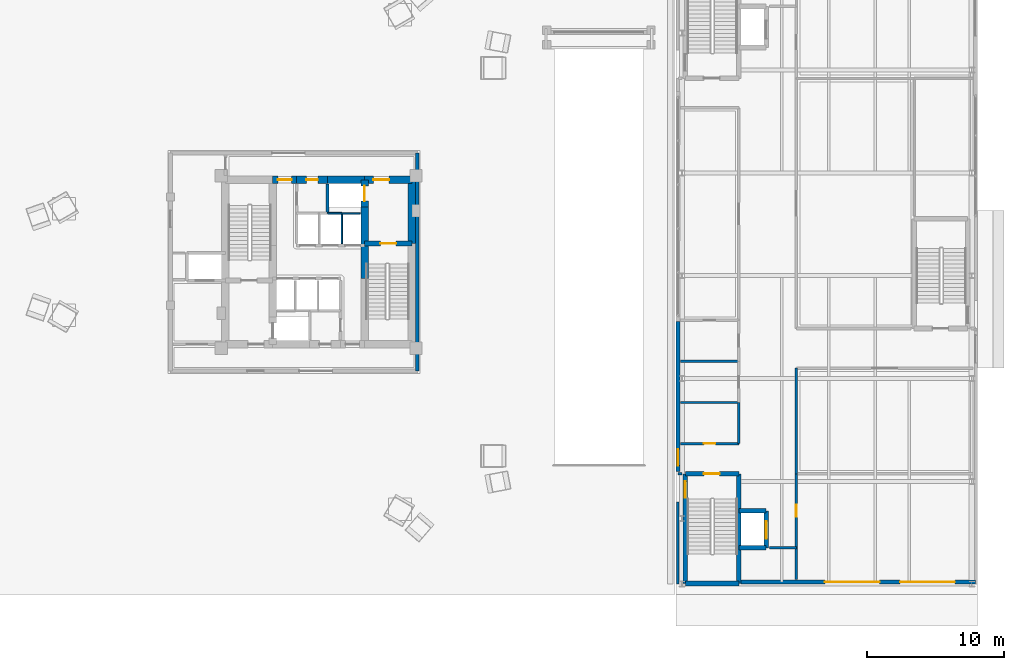
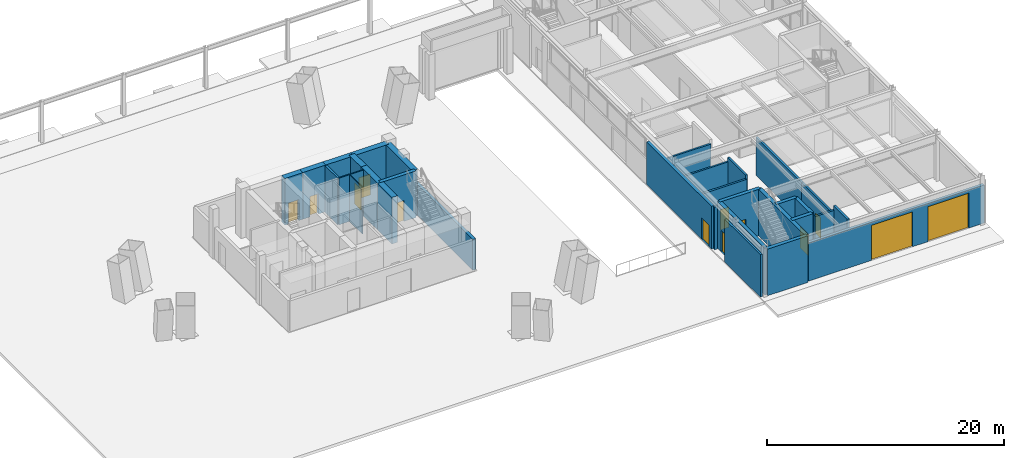
# One storey, part 14 of 21: 33 walls, 13 doors, 13 openings.
"""IFC4 building model written with IfcOpenShell, lengths in metres."""

from ifc_helpers import new_model, si_unit, direction, frame, frame_2d, origin, place, context, subcontext, project, spatial, rectangle, extrude, material, layer, layer_set, type_object, element, fill, save


model = new_model("IFC4")

# Units and contexts
model_context = context("Model", 3, precision=1e-05, world=origin(), true_north=direction((0.0, 1.0)))
body_context = subcontext(model_context, "Body", "Model", "MODEL_VIEW")
ifc_project = project(units=[si_unit("LENGTHUNIT", "METRE"), si_unit("AREAUNIT", "SQUARE_METRE"), si_unit("VOLUMEUNIT", "CUBIC_METRE"), si_unit("PLANEANGLEUNIT", "RADIAN"), si_unit("MASSUNIT", "GRAM", prefix="KILO")], contexts=[model_context])

# Site, building, storey
site_placement = place(None, origin())
site = spatial("IfcSite", under=ifc_project, at=site_placement, CompositionType="ELEMENT")
building_placement = place(site_placement, origin())
building = spatial("IfcBuilding", under=site, at=building_placement, Name="Mersakhor Tower and Convention Hall", CompositionType="ELEMENT")
storey_placement = place(building_placement, origin())
storey = spatial("IfcBuildingStorey", under=building, at=storey_placement, Name="L00", CompositionType="ELEMENT", Elevation=0.0)

# Wall
ifc_material_1 = material(Name="Precast concrete C45/55", Category="concrete")
ifc_layer_1 = layer(ifc_material_1, 0.27490234375)
ifc_layer_set_1 = layer_set([ifc_layer_1], Name="Precast concrete C45/55")
wall_type_1 = type_object("IfcWallType", Name="WL-EXT-275", PredefinedType="SOLIDWALL", material=ifc_layer_set_1)
wall_1_placement = place(storey_placement, frame((36.199951171875, 34.699951171875, 0.0), z_axis=(0.0, 0.0, 1.0), x_axis=(0.0, -1.0, 0.0)))
element("IfcWall", 1, at=wall_1_placement, inside=storey, type_object=wall_type_1, Name="Tower Ground Lobby Exterior Wall E", PredefinedType="SOLIDWALL", context=body_context, shape_type="SweptSolid", body=[
    extrude(rectangle(XDim=15.89990234375, YDim=0.27490234375, at=frame_2d((7.949951171875, 0.0))), origin(), (0.0, 0.0, 1.0), 3.18505859375),
])

# Wall, opening, door
ifc_material_2 = material(Name="Precast concrete C45/55", Category="concrete")
ifc_layer_2 = layer(ifc_material_2, 0.300048828125)
ifc_layer_set_2 = layer_set([ifc_layer_2], Name="Precast concrete C45/55")
wall_type_2 = type_object("IfcWallType", Name="WL-EXT-300", PredefinedType="SOLIDWALL", material=ifc_layer_set_2)
wall_2_placement = place(storey_placement, frame((55.22509765625, 11.449951171875, 0.0), z_axis=(0.0, 0.0, 1.0), x_axis=(0.0, 1.0, 0.0)))
wall_2 = element("IfcWall", 2, at=wall_2_placement, inside=storey, type_object=wall_type_2, Name="Convention L00 Precast Facade Wall W1", PredefinedType="SOLIDWALL", context=body_context, shape_type="SweptSolid", body=[
    extrude(rectangle(XDim=10.949951171875, YDim=0.300048828125, at=frame_2d((5.47509765625, 0.0))), origin(), (0.0, 0.0, 1.0), 4.389892578125),
])
opening_1_placement = place(wall_2_placement, frame((0.449951171875, 0.0, 0.0)))
opening_1 = element("IfcOpeningElement", 3, at=opening_1_placement, cuts=wall_2, Name="Opening EX-01", PredefinedType="OPENING", context=body_context, shape_type="SweptSolid", body=[
    extrude(rectangle(XDim=1.199951171875, YDim=2.199951171875, at=frame_2d((0.60009765625, 1.10009765625))), frame((0.0, 0.159912109375, 0.0), z_axis=(0.0, -1.0, 0.0), x_axis=(1.0, 0.0, 0.0)), (0.0, 0.0, 1.0), 0.320068359375),
])
ifc_material_3 = material(Name="Thermally broken dark aluminium and safety glass", Category="aluminium")
door_type_1 = type_object("IfcDoorType", Name="DR-EXT-EXIT-120x220", OperationType="NOTDEFINED", PredefinedType="DOOR", material=ifc_material_3)
door_1_placement = place(opening_1_placement, origin())
door_1 = element("IfcDoor", 4, at=door_1_placement, inside=storey, type_object=door_type_1, Name="Convention Concourse South Final Exit Door", OperationType="SINGLE_SWING_LEFT", OverallHeight=2.199951171875, OverallWidth=1.199951171875, PredefinedType="DOOR", context=body_context, shape_type="SweptSolid", body=[
    extrude(rectangle(XDim=1.199951171875, YDim=2.199951171875, at=frame_2d((0.60009765625, 1.10009765625))), frame((0.0, 0.02490234375, 0.0), z_axis=(0.0, -1.0, 0.0), x_axis=(1.0, 0.0, 0.0)), (0.0, 0.0, 1.0), 0.050048828125),
])
fill(opening_1, door_1)

# Wall, openings, doors
wall_3_placement = place(storey_placement, frame((76.925048828125, 3.39990234375, 0.0), z_axis=(0.0, 0.0, 1.0), x_axis=(-1.0, 0.0, 0.0)))
wall_3 = element("IfcWall", 5, at=wall_3_placement, inside=storey, type_object=wall_type_2, Name="Convention L00 Precast Facade Wall S1", PredefinedType="SOLIDWALL", context=body_context, shape_type="SweptSolid", body=[
    extrude(rectangle(XDim=17.125, YDim=0.300048828125, at=frame_2d((8.5625, 0.0))), origin(), (0.0, 0.0, 1.0), 3.9140625),
])
opening_2_placement = place(wall_3_placement, frame((1.5, 0.0, 0.0)))
opening_2 = element("IfcOpeningElement", 6, at=opening_2_placement, cuts=wall_3, Name="Opening GATE-02", PredefinedType="OPENING", context=body_context, shape_type="SweptSolid", body=[
    extrude(rectangle(XDim=4.0, YDim=3.60009765625, at=frame_2d((2.0, 1.800048828125))), frame((0.0, 0.159912109375, 0.0), z_axis=(0.0, -1.0, 0.0), x_axis=(1.0, 0.0, 0.0)), (0.0, 0.0, 1.0), 0.320068359375),
])
opening_3_placement = place(wall_3_placement, frame((7.0, 0.0, 0.0)))
opening_3 = element("IfcOpeningElement", 7, at=opening_3_placement, cuts=wall_3, Name="Opening GATE-02", PredefinedType="OPENING", context=body_context, shape_type="SweptSolid", body=[
    extrude(rectangle(XDim=4.0, YDim=3.60009765625, at=frame_2d((2.0, 1.800048828125))), frame((0.0, 0.159912109375, 0.0), z_axis=(0.0, -1.0, 0.0), x_axis=(1.0, 0.0, 0.0)), (0.0, 0.0, 1.0), 0.320068359375),
])
ifc_material_4 = material(Name="Thermally broken dark aluminium and safety glass", Category="aluminium")
door_type_2 = type_object("IfcDoorType", Name="DR-GATE-LOD-400x360", OperationType="NOTDEFINED", PredefinedType="GATE", material=ifc_material_4)
door_2_placement = place(opening_2_placement, origin())
door_2 = element("IfcDoor", 8, at=door_2_placement, inside=storey, type_object=door_type_2, Name="Convention Loading Bay Roller Shutter Gate LG-1", OperationType="ROLLINGUP", OverallHeight=3.60009765625, OverallWidth=4.0, PredefinedType="GATE", context=body_context, shape_type="SweptSolid", body=[
    extrude(rectangle(XDim=4.0, YDim=3.60009765625, at=frame_2d((2.0, 1.800048828125))), frame((0.0, 0.02490234375, 0.0), z_axis=(0.0, -1.0, 0.0), x_axis=(1.0, 0.0, 0.0)), (0.0, 0.0, 1.0), 0.050048828125),
])
fill(opening_2, door_2)
door_3_placement = place(opening_3_placement, origin())
door_3 = element("IfcDoor", 9, at=door_3_placement, inside=storey, type_object=door_type_2, Name="Convention Loading Bay Roller Shutter Gate LG-2", OperationType="ROLLINGUP", OverallHeight=3.60009765625, OverallWidth=4.0, PredefinedType="GATE", context=body_context, shape_type="SweptSolid", body=[
    extrude(rectangle(XDim=4.0, YDim=3.60009765625, at=frame_2d((2.0, 1.800048828125))), frame((0.0, 0.02490234375, 0.0), z_axis=(0.0, -1.0, 0.0), x_axis=(1.0, 0.0, 0.0)), (0.0, 0.0, 1.0), 0.050048828125),
])
fill(opening_3, door_3)

# Walls
ifc_material_5 = material(Name="Precast concrete C40/50", Category="concrete")
ifc_layer_3 = layer(ifc_material_5, 0.199951171875)
ifc_layer_set_3 = layer_set([ifc_layer_3], Name="Precast concrete C40/50")
wall_type_3 = type_object("IfcWallType", Name="WL-PAR-200", PredefinedType="PARAPET", material=ifc_layer_set_3)
wall_4_placement = place(storey_placement, frame((55.195068359375, 3.25, 0.0), z_axis=(0.0, 0.0, 1.0), x_axis=(0.0, 1.0, 0.0)))
element("IfcWall", 10, at=wall_4_placement, inside=storey, type_object=wall_type_3, Name="Convention L00 Stair Core Facade Cladding WC1", PredefinedType="PARAPET", context=body_context, shape_type="SweptSolid", body=[
    extrude(rectangle(XDim=6.0, YDim=0.199951171875, at=frame_2d((3.0, 0.0))), origin(), (0.0, 0.0, 1.0), 4.389892578125),
])
ifc_material_6 = material(Name="Moisture-resistant acoustic drywall studwork", Category="other")
ifc_layer_4 = layer(ifc_material_6, 0.175048828125)
ifc_layer_set_4 = layer_set([ifc_layer_4], Name="Moisture-resistant acoustic drywall studwork")
wall_type_4 = type_object("IfcWallType", Name="WL-PLM-175", PredefinedType="PLUMBINGWALL", material=ifc_layer_set_4)
for number, where, z_axis, x_axis, name in (
    (11, (55.39892578125, 16.5, 0.0), (0.0, 0.0, 1.0), (1.0, 0.0, 0.0), "L00 Interior Partition Wall P-041"),
    (12, (55.39892578125, 19.5, 0.0), (0.0, 0.0, 1.0), (1.0, 0.0, 0.0), "L00 Interior Partition Wall P-042"),
):
    element("IfcWall", number, at=place(storey_placement, frame(where, z_axis=z_axis, x_axis=x_axis)), inside=storey, type_object=wall_type_4, Name=name, PredefinedType="PLUMBINGWALL", context=body_context, shape_type="SweptSolid", body=[
        extrude(rectangle(XDim=4.2509765625, YDim=0.175048828125, at=frame_2d((2.12548828125, 0.0))), origin(), (0.0, 0.0, 1.0), 4.389892578125),
    ])
ifc_material_7 = material(Name="Lightweight gypsum partition", Category="other")
ifc_layer_5 = layer(ifc_material_7, 0.10009765625)
ifc_layer_set_5 = layer_set([ifc_layer_5], Name="Lightweight gypsum partition")
wall_type_5 = type_object("IfcWallType", Name="WL-PRT-100", PredefinedType="PARTITIONING", material=ifc_layer_set_5)
wall_5_placement = place(storey_placement, frame((32.02490234375, 30.300048828125, 0.0), z_axis=(0.0, 0.0, 1.0), x_axis=(-1.0, 0.0, 0.0)))
element("IfcWall", 13, at=wall_5_placement, inside=storey, type_object=wall_type_5, Name="L00 Interior Partition Wall P-004", PredefinedType="PARTITIONING", context=body_context, shape_type="SweptSolid", body=[
    extrude(rectangle(XDim=1.324951171875, YDim=0.10009765625, at=frame_2d((0.66259765625, 0.0))), origin(), (0.0, 0.0, 1.0), 4.800048828125),
])
wall_6_placement = place(storey_placement, frame((30.699951171875, 30.300048828125, 0.0), z_axis=(0.0, 0.0, 1.0), x_axis=(0.0, -1.0, 0.0)))
element("IfcWall", 14, at=wall_6_placement, inside=storey, type_object=wall_type_5, Name="L00 Interior Partition Wall P-016", PredefinedType="PARTITIONING", context=body_context, shape_type="SweptSolid", body=[
    extrude(rectangle(XDim=2.199951171875, YDim=0.10009765625, at=frame_2d((1.10009765625, 0.0))), origin(), (0.0, 0.0, 1.0), 4.800048828125),
])
ifc_material_8 = material(Name="Gypsum board acoustic partition", Category="other")
ifc_layer_6 = layer(ifc_material_8, 0.125)
ifc_layer_set_6 = layer_set([ifc_layer_6], Name="Gypsum board acoustic partition")
wall_type_6 = type_object("IfcWallType", Name="WL-PRT-125", PredefinedType="PARTITIONING", material=ifc_layer_set_6)
wall_7_placement = place(storey_placement, frame((30.699951171875, 30.300048828125, 0.0), z_axis=(0.0, 0.0, 1.0), x_axis=(-1.0, 0.0, 0.0)))
element("IfcWall", 15, at=wall_7_placement, inside=storey, type_object=wall_type_6, Name="L00 Interior Partition Wall P-005", PredefinedType="PARTITIONING", context=body_context, shape_type="SweptSolid", body=[
    extrude(rectangle(XDim=1.050048828125, YDim=0.125, at=frame_2d((0.52490234375, 0.0))), origin(), (0.0, 0.0, 1.0), 4.800048828125),
])
ifc_material_9 = material(Name="Acoustic concrete blockwork and gypsum board", Category="masonry")
ifc_layer_7 = layer(ifc_material_9, 0.199951171875)
ifc_layer_set_7 = layer_set([ifc_layer_7], Name="Acoustic concrete blockwork and gypsum board")
wall_type_7 = type_object("IfcWallType", Name="WL-PRT-200", PredefinedType="PARTITIONING", material=ifc_layer_set_7)
wall_8_placement = place(storey_placement, frame((29.64990234375, 30.300048828125, 0.0), z_axis=(0.0, 0.0, 1.0), x_axis=(0.0, 1.0, 0.0)))
element("IfcWall", 16, at=wall_8_placement, inside=storey, type_object=wall_type_7, Name="L00 Interior Partition Wall P-006", PredefinedType="PARTITIONING", context=body_context, shape_type="SweptSolid", body=[
    extrude(rectangle(XDim=2.125, YDim=0.199951171875, at=frame_2d((1.0625, 0.0))), origin(), (0.0, 0.0, 1.0), 4.800048828125),
])
wall_9_placement = place(storey_placement, frame((55.52490234375, 11.300048828125, 0.0), z_axis=(0.0, 0.0, 1.0), x_axis=(-1.0, 0.0, 0.0)))
element("IfcWall", 17, at=wall_9_placement, inside=storey, type_object=wall_type_7, Name="L00 Interior Partition Wall P-019", PredefinedType="PARTITIONING", context=body_context, shape_type="SweptSolid", body=[
    extrude(rectangle(XDim=0.2998046875, YDim=0.199951171875, at=frame_2d((0.14990234375, 0.0))), origin(), (0.0, 0.0, 1.0), 4.389892578125),
])

# Wall, opening, door
wall_10_placement = place(storey_placement, frame((55.39892578125, 13.5, 0.0), z_axis=(0.0, 0.0, 1.0), x_axis=(1.0, 0.0, 0.0)))
wall_10 = element("IfcWall", 18, at=wall_10_placement, inside=storey, type_object=wall_type_7, Name="L00 Interior Partition Wall P-020", PredefinedType="PARTITIONING", context=body_context, shape_type="SweptSolid", body=[
    extrude(rectangle(XDim=4.2509765625, YDim=0.199951171875, at=frame_2d((2.12548828125, 0.0))), origin(), (0.0, 0.0, 1.0), 4.389892578125),
])
opening_4_placement = place(wall_10_placement, frame((1.700439453125, 0.0, 0.0)))
opening_4 = element("IfcOpeningElement", 19, at=opening_4_placement, cuts=wall_10, Name="Opening SVD-01", PredefinedType="OPENING", context=body_context, shape_type="SweptSolid", body=[
    extrude(rectangle(XDim=0.85009765625, YDim=2.10009765625, at=frame_2d((0.425048828125, 1.050048828125))), frame((0.0, 0.10986328125, 0.0), z_axis=(0.0, -1.0, 0.0), x_axis=(1.0, 0.0, 0.0)), (0.0, 0.0, 1.0), 0.219970703125),
])
ifc_material_10 = material(Name="Fire-rated hardwood leaf and painted steel frame", Category="steel")
door_type_3 = type_object("IfcDoorType", Name="DR-INT-SVC-085x210", OperationType="NOTDEFINED", PredefinedType="DOOR", material=ifc_material_10)
door_4_placement = place(opening_4_placement, origin())
door_4 = element("IfcDoor", 20, at=door_4_placement, inside=storey, type_object=door_type_3, Name="L00 Convention Hall Concourse Corridor to Convention Public Male Toilets Door", OperationType="SINGLE_SWING_RIGHT", OverallHeight=2.10009765625, OverallWidth=0.85009765625, PredefinedType="DOOR", context=body_context, shape_type="SweptSolid", body=[
    extrude(rectangle(XDim=0.85009765625, YDim=2.10009765625, at=frame_2d((0.425048828125, 1.050048828125))), frame((0.0, 0.02490234375, 0.0), z_axis=(0.0, -1.0, 0.0), x_axis=(1.0, 0.0, 0.0)), (0.0, 0.0, 1.0), 0.050048828125),
])
fill(opening_4, door_4)

# Walls
wall_11_placement = place(storey_placement, frame((59.64990234375, 13.5, 0.0), z_axis=(0.0, 0.0, 1.0), x_axis=(0.0, 1.0, 0.0)))
element("IfcWall", 21, at=wall_11_placement, inside=storey, type_object=wall_type_7, Name="L00 Interior Partition Wall P-021", PredefinedType="PARTITIONING", context=body_context, shape_type="SweptSolid", body=[
    extrude(rectangle(XDim=3.0, YDim=0.199951171875, at=frame_2d((1.5, 0.0))), origin(), (0.0, 0.0, 1.0), 4.800048828125),
])
wall_12_placement = place(storey_placement, frame((63.85009765625, 19.0, 0.0), z_axis=(0.0, 0.0, 1.0), x_axis=(0.0, -1.0, 0.0)))
element("IfcWall", 22, at=wall_12_placement, inside=storey, type_object=wall_type_7, Name="L00 Interior Partition Wall P-035", PredefinedType="PARTITIONING", context=body_context, shape_type="SweptSolid", body=[
    extrude(rectangle(XDim=7.699951171875, YDim=0.199951171875, at=frame_2d((3.85009765625, 0.0))), origin(), (0.0, 0.0, 1.0), 3.9140625),
])

# Wall, opening, door
wall_13_placement = place(storey_placement, frame((63.85009765625, 11.300048828125, 0.0), z_axis=(0.0, 0.0, 1.0), x_axis=(0.0, -1.0, 0.0)))
wall_13 = element("IfcWall", 23, at=wall_13_placement, inside=storey, type_object=wall_type_7, Name="L00 Interior Partition Wall P-036", PredefinedType="PARTITIONING", context=body_context, shape_type="SweptSolid", body=[
    extrude(rectangle(XDim=5.400146484375, YDim=0.199951171875, at=frame_2d((2.7001953125, 0.0))), origin(), (0.0, 0.0, 1.0), 3.9140625),
])
opening_5_placement = place(wall_13_placement, frame((2.27490234375, 0.0, 0.0)))
opening_5 = element("IfcOpeningElement", 24, at=opening_5_placement, cuts=wall_13, Name="Opening SVD-01", PredefinedType="OPENING", context=body_context, shape_type="SweptSolid", body=[
    extrude(rectangle(XDim=0.85009765625, YDim=2.10009765625, at=frame_2d((0.425048828125, 1.050048828125))), frame((0.0, 0.10986328125, 0.0), z_axis=(0.0, -1.0, 0.0), x_axis=(1.0, 0.0, 0.0)), (0.0, 0.0, 1.0), 0.219970703125),
])
door_5_placement = place(opening_5_placement, origin())
door_5 = element("IfcDoor", 25, at=door_5_placement, inside=storey, type_object=door_type_3, Name="L00 Convention Hall Concourse Corridor to Convention Loading Bay and Goods Receiving Door", OperationType="SINGLE_SWING_RIGHT", OverallHeight=2.10009765625, OverallWidth=0.85009765625, PredefinedType="DOOR", context=body_context, shape_type="SweptSolid", body=[
    extrude(rectangle(XDim=0.85009765625, YDim=2.10009765625, at=frame_2d((0.425048828125, 1.050048828125))), frame((0.0, 0.02490234375, 0.0), z_axis=(0.0, -1.0, 0.0), x_axis=(1.0, 0.0, 0.0)), (0.0, 0.0, 1.0), 0.050048828125),
])
fill(opening_5, door_5)

# Walls
wall_14_placement = place(storey_placement, frame((63.85009765625, 5.89990234375, 0.0), z_axis=(0.0, 0.0, 1.0), x_axis=(-1.0, 0.0, 0.0)))
element("IfcWall", 26, at=wall_14_placement, inside=storey, type_object=wall_type_7, Name="L00 Interior Partition Wall P-037", PredefinedType="PARTITIONING", context=body_context, shape_type="SweptSolid", body=[
    extrude(rectangle(XDim=1.97509765625, YDim=0.199951171875, at=frame_2d((0.987548828125, 0.0))), origin(), (0.0, 0.0, 1.0), 4.355712890625),
])
wall_15_placement = place(storey_placement, frame((63.85009765625, 3.573974609375, 0.0), z_axis=(0.0, 0.0, 1.0), x_axis=(0.0, 1.0, 0.0)))
element("IfcWall", 27, at=wall_15_placement, inside=storey, type_object=wall_type_7, Name="L00 Interior Partition Wall P-047", PredefinedType="PARTITIONING", context=body_context, shape_type="SweptSolid", body=[
    extrude(rectangle(XDim=2.325927734375, YDim=0.199951171875, at=frame_2d((1.1630859375, 0.0))), origin(), (0.0, 0.0, 1.0), 4.800048828125),
])

# Wall, opening, door
ifc_material_11 = material(Name="Concrete C50/60", Category="concrete")
ifc_layer_8 = layer(ifc_material_11, 0.35009765625)
ifc_layer_set_8 = layer_set([ifc_layer_8], Name="Concrete C50/60")
wall_type_8 = type_object("IfcWallType", Name="WL-SHR-350", PredefinedType="SHEAR", material=ifc_layer_set_8)
wall_16_placement = place(storey_placement, frame((32.35009765625, 28.10009765625, 0.0), z_axis=(0.0, 0.0, 1.0), x_axis=(1.0, 0.0, 0.0)))
wall_16 = element("IfcWall", 28, at=wall_16_placement, inside=storey, type_object=wall_type_8, Name="L00 Core Wall CS-ST2-N", PredefinedType="SHEAR", context=body_context, shape_type="SweptSolid", body=[
    extrude(rectangle(XDim=3.449951171875, YDim=0.35009765625, at=frame_2d((1.72509765625, 0.0))), origin(), (0.0, 0.0, 1.0), 4.800048828125),
])
opening_6_placement = place(wall_16_placement, frame((1.14990234375, 0.0, 0.0)))
opening_6 = element("IfcOpeningElement", 29, at=opening_6_placement, cuts=wall_16, Name="Opening SD-01", PredefinedType="OPENING", context=body_context, shape_type="SweptSolid", body=[
    extrude(rectangle(XDim=1.14990234375, YDim=2.14990234375, at=frame_2d((0.574951171875, 1.074951171875))), frame((0.0, 0.18505859375, 0.0), z_axis=(0.0, -1.0, 0.0), x_axis=(1.0, 0.0, 0.0)), (0.0, 0.0, 1.0), 0.3701171875),
])
ifc_material_12 = material(Name="Fire-rated hardwood leaf and painted steel frame", Category="steel")
door_type_4 = type_object("IfcDoorType", Name="DR-INT-STAIR-115x215", OperationType="NOTDEFINED", PredefinedType="DOOR", material=ifc_material_12)
door_6_placement = place(opening_6_placement, origin())
door_6 = element("IfcDoor", 30, at=door_6_placement, inside=storey, type_object=door_type_4, Name="L00 Exit Stair ST-2 Enclosure Door", OperationType="SINGLE_SWING_RIGHT", OverallHeight=2.14990234375, OverallWidth=1.14990234375, PredefinedType="DOOR", context=body_context, shape_type="SweptSolid", body=[
    extrude(rectangle(XDim=1.14990234375, YDim=2.14990234375, at=frame_2d((0.574951171875, 1.074951171875))), frame((0.0, 0.02490234375, 0.0), z_axis=(0.0, -1.0, 0.0), x_axis=(1.0, 0.0, 0.0)), (0.0, 0.0, 1.0), 0.050048828125),
])
fill(opening_6, door_6)

wall_17_placement = place(storey_placement, frame((61.64990234375, 5.89990234375, 0.0), z_axis=(0.0, 0.0, 1.0), x_axis=(0.0, 1.0, 0.0)))
wall_17 = element("IfcWall", 31, at=wall_17_placement, inside=storey, type_object=wall_type_8, Name="L00 CVL1 Shaft Front Wall", PredefinedType="SHEAR", context=body_context, shape_type="SweptSolid", body=[
    extrude(rectangle(XDim=2.7001953125, YDim=0.35009765625, at=frame_2d((1.35009765625, 0.0))), origin(), (0.0, 0.0, 1.0), 4.800048828125),
])
opening_7_placement = place(wall_17_placement, frame((0.64990234375, 0.0, 0.0)))
opening_7 = element("IfcOpeningElement", 32, at=opening_7_placement, cuts=wall_17, Name="Opening LD-CVL1", PredefinedType="OPENING", context=body_context, shape_type="SweptSolid", body=[
    extrude(rectangle(XDim=1.300048828125, YDim=2.199951171875, at=frame_2d((0.64990234375, 1.10009765625))), frame((0.0, 0.18505859375, 0.0), z_axis=(0.0, -1.0, 0.0), x_axis=(1.0, 0.0, 0.0)), (0.0, 0.0, 1.0), 0.3701171875),
])
ifc_material_13 = material(Name="Fire-rated brushed stainless steel sliding landing door", Category="steel")
door_type_5 = type_object("IfcDoorType", Name="DR-LIFT-SLD-130x220", OperationType="NOTDEFINED", PredefinedType="DOOR", material=ifc_material_13)
door_7_placement = place(opening_7_placement, origin())
door_7 = element("IfcDoor", 33, at=door_7_placement, inside=storey, type_object=door_type_5, Name="L00 Convention Lift Landing Door LD-CVL1", OperationType="SLIDING_TO_LEFT", OverallHeight=2.199951171875, OverallWidth=1.300048828125, PredefinedType="DOOR", context=body_context, shape_type="SweptSolid", body=[
    extrude(rectangle(XDim=1.300048828125, YDim=2.199951171875, at=frame_2d((0.64990234375, 1.10009765625))), frame((0.0, 0.02490234375, 0.0), z_axis=(0.0, -1.0, 0.0), x_axis=(1.0, 0.0, 0.0)), (0.0, 0.0, 1.0), 0.050048828125),
])
fill(opening_7, door_7)

# Walls
for number, where, z_axis, x_axis, name in (
    (34, (59.64990234375, 8.60009765625, 0.0), (0.0, 0.0, 1.0), (1.0, 0.0, 0.0), "L00 CVL1 Shaft North Wall"),
    (35, (59.64990234375, 5.89990234375, 0.0), (0.0, 0.0, 1.0), (1.0, 0.0, 0.0), "L00 CVL1 Shaft South Wall"),
):
    element("IfcWall", number, at=place(storey_placement, frame(where, z_axis=z_axis, x_axis=x_axis)), inside=storey, type_object=wall_type_8, Name=name, PredefinedType="SHEAR", context=body_context, shape_type="SweptSolid", body=[
        extrude(rectangle(XDim=2.0, YDim=0.35009765625, at=frame_2d((1.0, 0.0))), origin(), (0.0, 0.0, 1.0), 4.800048828125),
    ])
wall_18_placement = place(storey_placement, frame((59.64990234375, 11.300048828125, 0.0), z_axis=(0.0, 0.0, 1.0), x_axis=(0.0, -1.0, 0.0)))
element("IfcWall", 36, at=wall_18_placement, inside=storey, type_object=wall_type_8, Name="L00 CHST1 East Shear Wall", PredefinedType="SHEAR", context=body_context, shape_type="SweptSolid", body=[
    extrude(rectangle(XDim=8.0, YDim=0.35009765625, at=frame_2d((4.0, 0.0))), origin(), (0.0, 0.0, 1.0), 4.800048828125),
])

# Wall, opening, door
wall_19_placement = place(storey_placement, frame((55.75, 3.300048828125, 0.0), z_axis=(0.0, 0.0, 1.0), x_axis=(0.0, 1.0, 0.0)))
wall_19 = element("IfcWall", 37, at=wall_19_placement, inside=storey, type_object=wall_type_8, Name="L00 CHST1 West Shear Wall", PredefinedType="SHEAR", context=body_context, shape_type="SweptSolid", body=[
    extrude(rectangle(XDim=8.0, YDim=0.35009765625, at=frame_2d((4.0, 0.0))), origin(), (0.0, 0.0, 1.0), 4.800048828125),
])
opening_8_placement = place(wall_19_placement, frame((6.25, 0.0, 0.0)))
opening_8 = element("IfcOpeningElement", 38, at=opening_8_placement, cuts=wall_19, Name="Opening EX-01", PredefinedType="OPENING", context=body_context, shape_type="SweptSolid", body=[
    extrude(rectangle(XDim=1.199951171875, YDim=2.199951171875, at=frame_2d((0.60009765625, 1.10009765625))), frame((0.0, 0.18505859375, 0.0), z_axis=(0.0, -1.0, 0.0), x_axis=(1.0, 0.0, 0.0)), (0.0, 0.0, 1.0), 0.3701171875),
])
door_8_placement = place(opening_8_placement, origin())
door_8 = element("IfcDoor", 39, at=door_8_placement, inside=storey, type_object=door_type_1, Name="Convention Stair CH-ST1 Direct Exterior Final Exit Door", OperationType="SINGLE_SWING_LEFT", OverallHeight=2.199951171875, OverallWidth=1.199951171875, PredefinedType="DOOR", context=body_context, shape_type="SweptSolid", body=[
    extrude(rectangle(XDim=1.199951171875, YDim=2.199951171875, at=frame_2d((0.60009765625, 1.10009765625))), frame((0.0, 0.02490234375, 0.0), z_axis=(0.0, -1.0, 0.0), x_axis=(1.0, 0.0, 0.0)), (0.0, 0.0, 1.0), 0.050048828125),
])
fill(opening_8, door_8)

wall_20_placement = place(storey_placement, frame((55.75, 11.300048828125, 0.0), z_axis=(0.0, 0.0, 1.0), x_axis=(1.0, 0.0, 0.0)))
wall_20 = element("IfcWall", 40, at=wall_20_placement, inside=storey, type_object=wall_type_8, Name="L00 CHST1 North Shear Wall", PredefinedType="SHEAR", context=body_context, shape_type="SweptSolid", body=[
    extrude(rectangle(XDim=3.89990234375, YDim=0.35009765625, at=frame_2d((1.949951171875, 0.0))), origin(), (0.0, 0.0, 1.0), 4.800048828125),
])
opening_9_placement = place(wall_20_placement, frame((1.35009765625, 0.0, 0.0)))
opening_9 = element("IfcOpeningElement", 41, at=opening_9_placement, cuts=wall_20, Name="Opening SD-01", PredefinedType="OPENING", context=body_context, shape_type="SweptSolid", body=[
    extrude(rectangle(XDim=1.14990234375, YDim=2.14990234375, at=frame_2d((0.574951171875, 1.074951171875))), frame((0.0, 0.18505859375, 0.0), z_axis=(0.0, -1.0, 0.0), x_axis=(1.0, 0.0, 0.0)), (0.0, 0.0, 1.0), 0.3701171875),
])
door_9_placement = place(opening_9_placement, origin())
door_9 = element("IfcDoor", 42, at=door_9_placement, inside=storey, type_object=door_type_4, Name="L00 Convention Stair CH-ST1 Door", OperationType="SINGLE_SWING_LEFT", OverallHeight=2.14990234375, OverallWidth=1.14990234375, PredefinedType="DOOR", context=body_context, shape_type="SweptSolid", body=[
    extrude(rectangle(XDim=1.14990234375, YDim=2.14990234375, at=frame_2d((0.574951171875, 1.074951171875))), frame((0.0, 0.02490234375, 0.0), z_axis=(0.0, -1.0, 0.0), x_axis=(1.0, 0.0, 0.0)), (0.0, 0.0, 1.0), 0.050048828125),
])
fill(opening_9, door_9)

# Wall
wall_21_placement = place(storey_placement, frame((55.75, 3.300048828125, 0.0), z_axis=(0.0, 0.0, 1.0), x_axis=(1.0, 0.0, 0.0)))
element("IfcWall", 43, at=wall_21_placement, inside=storey, type_object=wall_type_8, Name="L00 CHST1 South Shear Wall", PredefinedType="SHEAR", context=body_context, shape_type="SweptSolid", body=[
    extrude(rectangle(XDim=3.89990234375, YDim=0.35009765625, at=frame_2d((1.949951171875, 0.0))), origin(), (0.0, 0.0, 1.0), 4.800048828125),
])

# Wall, opening, door
ifc_material_14 = material(Name="Concrete C70/85", Category="concrete")
ifc_layer_9 = layer(ifc_material_14, 0.550048828125)
ifc_layer_set_9 = layer_set([ifc_layer_9], Name="Concrete C70/85")
wall_type_9 = type_object("IfcWallType", Name="WL-SHR-550", PredefinedType="SHEAR", material=ifc_layer_set_9)
wall_22_placement = place(storey_placement, frame((25.64990234375, 32.75, 0.0), z_axis=(0.0, 0.0, 1.0), x_axis=(1.0, 0.0, 0.0)))
wall_22 = element("IfcWall", 44, at=wall_22_placement, inside=storey, type_object=wall_type_9, Name="L00 Core Wall CW-N2A", PredefinedType="SHEAR", context=body_context, shape_type="SweptSolid", body=[
    extrude(rectangle(XDim=1.75, YDim=0.550048828125, at=frame_2d((0.875, 0.0))), origin(), (0.0, 0.0, 1.0), 4.800048828125),
])
opening_10_placement = place(wall_22_placement, frame((0.375, 0.0, 0.0)))
opening_10 = element("IfcOpeningElement", 45, at=opening_10_placement, cuts=wall_22, Name="Opening CFD-01", PredefinedType="OPENING", context=body_context, shape_type="SweptSolid", body=[
    extrude(rectangle(XDim=1.0, YDim=2.14990234375, at=frame_2d((0.5, 1.074951171875))), frame((0.0, 0.284912109375, 0.0), z_axis=(0.0, -1.0, 0.0), x_axis=(1.0, 0.0, 0.0)), (0.0, 0.0, 1.0), 0.570068359375),
])
ifc_material_15 = material(Name="Fire-rated hardwood leaf and painted steel frame", Category="steel")
door_type_6 = type_object("IfcDoorType", Name="DR-CORE-FD-100x215", OperationType="NOTDEFINED", PredefinedType="DOOR", material=ifc_material_15)
door_10_placement = place(opening_10_placement, origin())
door_10 = element("IfcDoor", 46, at=door_10_placement, inside=storey, type_object=door_type_6, Name="L00 Lift Lobby North Corridor Door", OperationType="SINGLE_SWING_LEFT", OverallHeight=2.14990234375, OverallWidth=1.0, PredefinedType="DOOR", context=body_context, shape_type="SweptSolid", body=[
    extrude(rectangle(XDim=1.0, YDim=2.14990234375, at=frame_2d((0.5, 1.074951171875))), frame((0.0, 0.02490234375, 0.0), z_axis=(0.0, -1.0, 0.0), x_axis=(1.0, 0.0, 0.0)), (0.0, 0.0, 1.0), 0.050048828125),
])
fill(opening_10, door_10)

wall_23_placement = place(storey_placement, frame((27.39990234375, 32.75, 0.0), z_axis=(0.0, 0.0, 1.0), x_axis=(1.0, 0.0, 0.0)))
wall_23 = element("IfcWall", 47, at=wall_23_placement, inside=storey, type_object=wall_type_9, Name="L00 Core Wall CW-N2B", PredefinedType="SHEAR", context=body_context, shape_type="SweptSolid", body=[
    extrude(rectangle(XDim=2.25, YDim=0.550048828125, at=frame_2d((1.125, 0.0))), origin(), (0.0, 0.0, 1.0), 4.800048828125),
])
opening_11_placement = place(wall_23_placement, frame((0.699951171875, 0.0, 0.0)))
opening_11 = element("IfcOpeningElement", 48, at=opening_11_placement, cuts=wall_23, Name="Opening SVD-01", PredefinedType="OPENING", context=body_context, shape_type="SweptSolid", body=[
    extrude(rectangle(XDim=0.85009765625, YDim=2.10009765625, at=frame_2d((0.425048828125, 1.050048828125))), frame((0.0, 0.284912109375, 0.0), z_axis=(0.0, -1.0, 0.0), x_axis=(1.0, 0.0, 0.0)), (0.0, 0.0, 1.0), 0.570068359375),
])
door_11_placement = place(opening_11_placement, origin())
door_11 = element("IfcDoor", 49, at=door_11_placement, inside=storey, type_object=door_type_3, Name="L00 Tower North Plaza Entrance Vestibule to Telecoms and BMS Riser Room Door", OperationType="SINGLE_SWING_RIGHT", OverallHeight=2.10009765625, OverallWidth=0.85009765625, PredefinedType="DOOR", context=body_context, shape_type="SweptSolid", body=[
    extrude(rectangle(XDim=0.85009765625, YDim=2.10009765625, at=frame_2d((0.425048828125, 1.050048828125))), frame((0.0, 0.02490234375, 0.0), z_axis=(0.0, -1.0, 0.0), x_axis=(1.0, 0.0, 0.0)), (0.0, 0.0, 1.0), 0.050048828125),
])
fill(opening_11, door_11)

# Wall
wall_24_placement = place(storey_placement, frame((29.64990234375, 32.75, 0.0), z_axis=(0.0, 0.0, 1.0), x_axis=(1.0, 0.0, 0.0)))
element("IfcWall", 50, at=wall_24_placement, inside=storey, type_object=wall_type_9, Name="L00 Core Wall CW-N3", PredefinedType="SHEAR", context=body_context, shape_type="SweptSolid", body=[
    extrude(rectangle(XDim=2.7001953125, YDim=0.550048828125, at=frame_2d((1.35009765625, 0.0))), origin(), (0.0, 0.0, 1.0), 4.800048828125),
])

# Wall, opening, door
wall_25_placement = place(storey_placement, frame((32.35009765625, 32.75, 0.0), z_axis=(0.0, 0.0, 1.0), x_axis=(1.0, 0.0, 0.0)))
wall_25 = element("IfcWall", 51, at=wall_25_placement, inside=storey, type_object=wall_type_9, Name="L00 Core Wall CW-N4", PredefinedType="SHEAR", context=body_context, shape_type="SweptSolid", body=[
    extrude(rectangle(XDim=3.449951171875, YDim=0.550048828125, at=frame_2d((1.72509765625, 0.0))), origin(), (0.0, 0.0, 1.0), 4.800048828125),
])
opening_12_placement = place(wall_25_placement, frame((0.64990234375, 0.0, 0.0)))
opening_12 = element("IfcOpeningElement", 52, at=opening_12_placement, cuts=wall_25, Name="Opening SD-01", PredefinedType="OPENING", context=body_context, shape_type="SweptSolid", body=[
    extrude(rectangle(XDim=1.14990234375, YDim=2.14990234375, at=frame_2d((0.574951171875, 1.074951171875))), frame((0.0, 0.284912109375, 0.0), z_axis=(0.0, -1.0, 0.0), x_axis=(1.0, 0.0, 0.0)), (0.0, 0.0, 1.0), 0.570068359375),
])
door_12_placement = place(opening_12_placement, origin())
door_12 = element("IfcDoor", 53, at=door_12_placement, inside=storey, type_object=door_type_4, Name="L00 Firefighting Lobby East Fire Door", OperationType="SINGLE_SWING_RIGHT", OverallHeight=2.14990234375, OverallWidth=1.14990234375, PredefinedType="DOOR", context=body_context, shape_type="SweptSolid", body=[
    extrude(rectangle(XDim=1.14990234375, YDim=2.14990234375, at=frame_2d((0.574951171875, 1.074951171875))), frame((0.0, 0.02490234375, 0.0), z_axis=(0.0, -1.0, 0.0), x_axis=(1.0, 0.0, 0.0)), (0.0, 0.0, 1.0), 0.050048828125),
])
fill(opening_12, door_12)

# Walls
wall_26_placement = place(storey_placement, frame((35.800048828125, 32.75, 0.0), z_axis=(0.0, 0.0, 1.0), x_axis=(0.0, -1.0, 0.0)))
element("IfcWall", 54, at=wall_26_placement, inside=storey, type_object=wall_type_9, Name="L00 Core Wall CW-E1", PredefinedType="SHEAR", context=body_context, shape_type="SweptSolid", body=[
    extrude(rectangle(XDim=4.64990234375, YDim=0.550048828125, at=frame_2d((2.324951171875, 0.0))), origin(), (0.0, 0.0, 1.0), 4.800048828125),
])
wall_27_placement = place(storey_placement, frame((32.35009765625, 25.550048828125, 0.0), z_axis=(0.0, 0.0, 1.0), x_axis=(0.0, 1.0, 0.0)))
element("IfcWall", 55, at=wall_27_placement, inside=storey, type_object=wall_type_9, Name="L00 Core Wall CS-E-LOB", PredefinedType="SHEAR", context=body_context, shape_type="SweptSolid", body=[
    extrude(rectangle(XDim=2.39990234375, YDim=0.550048828125, at=frame_2d((1.199951171875, 0.0))), origin(), (0.0, 0.0, 1.0), 4.800048828125),
])
wall_28_placement = place(storey_placement, frame((32.35009765625, 27.949951171875, 0.0), z_axis=(0.0, 0.0, 1.0), x_axis=(0.0, 1.0, 0.0)))
element("IfcWall", 56, at=wall_28_placement, inside=storey, type_object=wall_type_9, Name="L00 Core Wall CS-E-MID", PredefinedType="SHEAR", context=body_context, shape_type="SweptSolid", body=[
    extrude(rectangle(XDim=2.800048828125, YDim=0.550048828125, at=frame_2d((1.39990234375, 0.0))), origin(), (0.0, 0.0, 1.0), 4.800048828125),
])

# Wall, opening, door
wall_29_placement = place(storey_placement, frame((32.35009765625, 30.75, 0.0), z_axis=(0.0, 0.0, 1.0), x_axis=(0.0, 1.0, 0.0)))
wall_29 = element("IfcWall", 57, at=wall_29_placement, inside=storey, type_object=wall_type_9, Name="L00 Core Wall CS-E-FFL", PredefinedType="SHEAR", context=body_context, shape_type="SweptSolid", body=[
    extrude(rectangle(XDim=2.0, YDim=0.550048828125, at=frame_2d((1.0, 0.0))), origin(), (0.0, 0.0, 1.0), 4.800048828125),
])
opening_13_placement = place(wall_29_placement, frame((0.449951171875, 0.0, 0.0)))
opening_13 = element("IfcOpeningElement", 58, at=opening_13_placement, cuts=wall_29, Name="Opening LD-FFL2", PredefinedType="OPENING", context=body_context, shape_type="SweptSolid", body=[
    extrude(rectangle(XDim=1.10009765625, YDim=2.14990234375, at=frame_2d((0.550048828125, 1.074951171875))), frame((0.0, 0.284912109375, 0.0), z_axis=(0.0, -1.0, 0.0), x_axis=(1.0, 0.0, 0.0)), (0.0, 0.0, 1.0), 0.570068359375),
])
ifc_material_16 = material(Name="Fire-rated brushed stainless steel sliding landing door", Category="steel")
door_type_7 = type_object("IfcDoorType", Name="DR-LIFT-SLD-110x215", OperationType="NOTDEFINED", PredefinedType="DOOR", material=ifc_material_16)
door_13_placement = place(opening_13_placement, origin())
door_13 = element("IfcDoor", 59, at=door_13_placement, inside=storey, type_object=door_type_7, Name="L00 Firefighting Lift Landing Door LD-FFL2", OperationType="SLIDING_TO_LEFT", OverallHeight=2.14990234375, OverallWidth=1.10009765625, PredefinedType="DOOR", context=body_context, shape_type="SweptSolid", body=[
    extrude(rectangle(XDim=1.10009765625, YDim=2.14990234375, at=frame_2d((0.550048828125, 1.074951171875))), frame((0.0, 0.02490234375, 0.0), z_axis=(0.0, -1.0, 0.0), x_axis=(1.0, 0.0, 0.0)), (0.0, 0.0, 1.0), 0.050048828125),
])
fill(opening_13, door_13)

save(model, "model.ifc")
